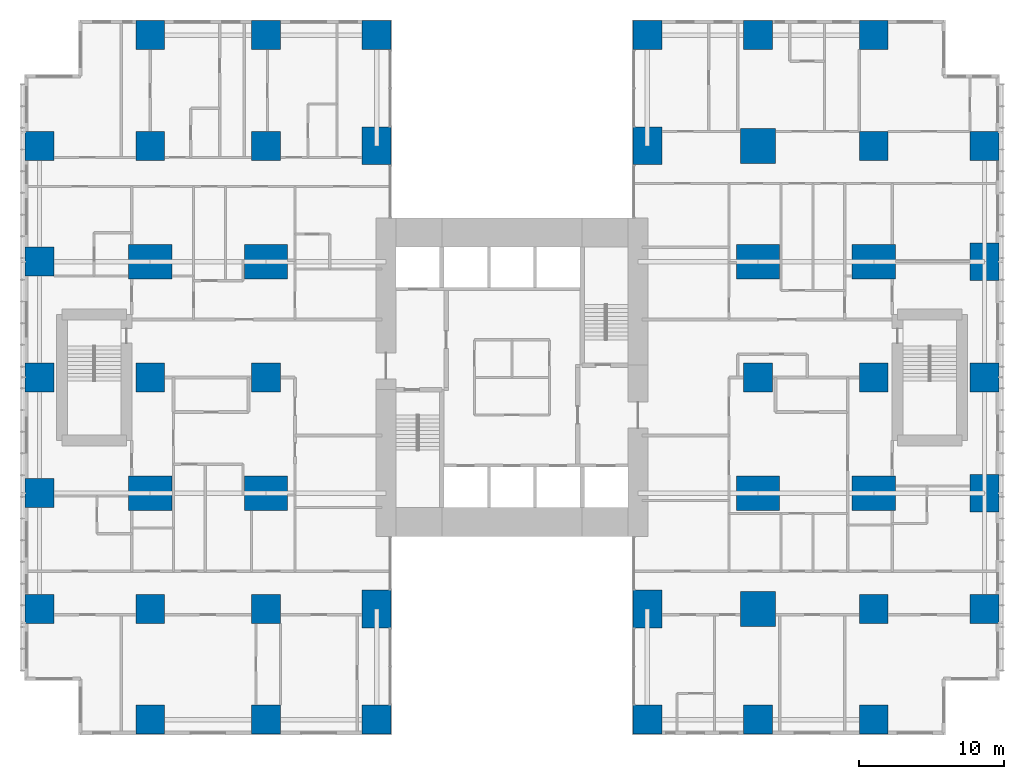
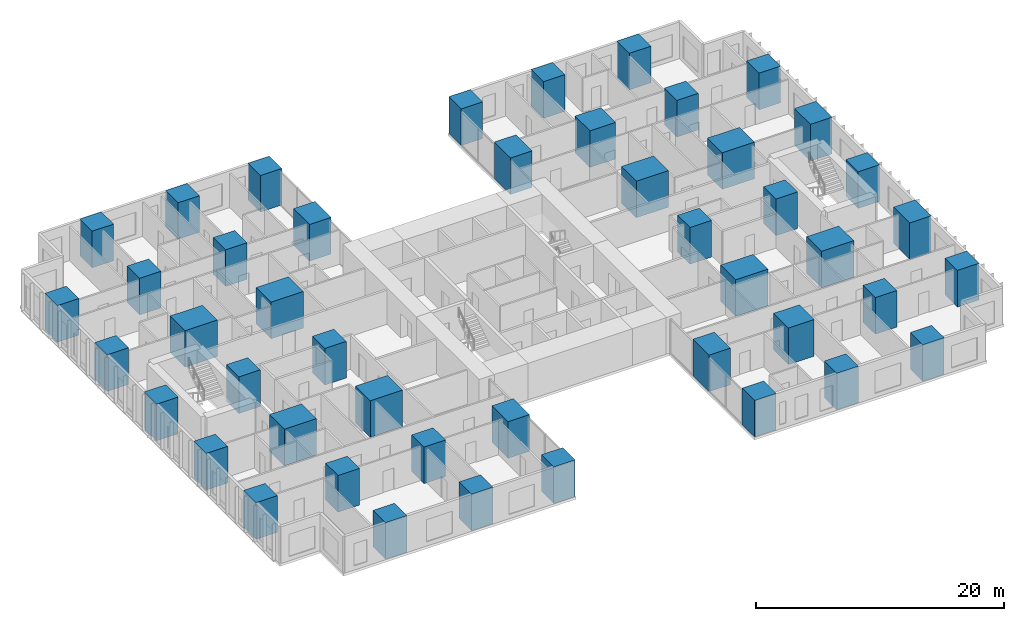
# One storey, part 1 of 20: 46 columns.
"""IFC4 building model written with IfcOpenShell, lengths in metres."""

import ifcopenshell
import ifcopenshell.guid

model = None  # the IFC model being written
_history = None  # IfcOwnerHistory: only IFC2X3 demands one
_inside = {}  # id of a spatial element -> (the spatial element, [elements in it])
_under = {}  # id of a project, library or spatial element -> (it, [spatial elements below it])
_declared = {}  # id of a project -> (the project, [libraries it declares])
_typed = {}  # id of a type object -> (the type object, [elements of that type])
_made_of = {}  # id of a material, layer set ... -> (it, [elements and type objects made of it])


def new_model(schema):
    """Start an empty IFC model of exactly this schema.

    Asked for "IFC4X3", IfcOpenShell would pick the latest addendum, in which some entities
    have other attributes; the version numbers below select the first issue.
    IFC2X3 requires an IfcOwnerHistory on every rooted entity: one is made here for all.
    """
    global model, _history
    if schema == "IFC4X3":
        model = ifcopenshell.file(schema_version=(4, 3, 0, 0))
    else:
        model = ifcopenshell.file(schema=schema)
    _inside.clear()
    _under.clear()
    _declared.clear()
    _typed.clear()
    _made_of.clear()
    _history = None
    if model.schema == "IFC2X3":
        org = make("IfcOrganization", Name="unknown")
        user = make(
            "IfcPersonAndOrganization",
            ThePerson=make("IfcPerson", FamilyName="unknown"),
            TheOrganization=org,
        )
        app = make(
            "IfcApplication",
            ApplicationDeveloper=org,
            Version="unknown",
            ApplicationFullName="unknown",
            ApplicationIdentifier="unknown",
        )
        _history = make(
            "IfcOwnerHistory",
            OwningUser=user,
            OwningApplication=app,
            ChangeAction="ADDED",
            CreationDate=0,
        )
    return model


def make(cls, **values):
    """One entity of the class cls with the attributes given. An attribute that is None is left unset."""
    return model.create_entity(
        cls, **{name: value for name, value in values.items() if value is not None}
    )


def rooted(cls, **values):
    """An entity with a GlobalId (a new one), such as an element, a storey or a relation."""
    return make(cls, GlobalId=ifcopenshell.guid.new(), OwnerHistory=_history, **values)


def si_unit(unit_type, name, prefix=None):
    """IfcSIUnit, for example si_unit("LENGTHUNIT", "METRE", prefix="MILLI")."""
    return make("IfcSIUnit", UnitType=unit_type, Prefix=prefix, Name=name)


def assignment(units):
    """IfcUnitAssignment: the units of a project."""
    return None if units is None else make("IfcUnitAssignment", Units=units)


def point(xyz):
    """IfcCartesianPoint."""
    return None if xyz is None else make("IfcCartesianPoint", Coordinates=xyz)


def direction(xyz):
    """IfcDirection."""
    return None if xyz is None else make("IfcDirection", DirectionRatios=xyz)


def frame(location, z_axis=None, x_axis=None):
    """IfcAxis2Placement3D, a coordinate frame: its origin and axes. An axis left out is left unset."""
    return make(
        "IfcAxis2Placement3D",
        Location=point(location),
        Axis=direction(z_axis),
        RefDirection=direction(x_axis),
    )


def frame_2d(location, x_axis=None):
    """IfcAxis2Placement2D, a coordinate frame in the plane: its origin and x axis."""
    return make(
        "IfcAxis2Placement2D", Location=point(location), RefDirection=direction(x_axis)
    )


def origin():
    """The frame at (0, 0, 0) with its axes left unset."""
    return frame((0.0, 0.0, 0.0))


def origin_2d():
    """The frame at (0, 0) in the plane with its x axis left unset."""
    return frame_2d((0.0, 0.0))


def place(relative_to, where):
    """IfcLocalPlacement: puts the frame where relative to a parent placement (None: the world)."""
    return make(
        "IfcLocalPlacement", PlacementRelTo=relative_to, RelativePlacement=where
    )


def context(
    kind, dimensions, precision=None, world=None, true_north=None, identifier=None
):
    """IfcGeometricRepresentationContext, for example the 3D "Model" context."""
    return make(
        "IfcGeometricRepresentationContext",
        ContextIdentifier=identifier,
        ContextType=kind,
        CoordinateSpaceDimension=dimensions,
        Precision=precision,
        WorldCoordinateSystem=world,
        TrueNorth=true_north,
    )


def subcontext(parent, identifier, kind, view, scale=None):
    """IfcGeometricRepresentationSubContext, for example "Body" below "Model"."""
    return make(
        "IfcGeometricRepresentationSubContext",
        ContextIdentifier=identifier,
        ContextType=kind,
        ParentContext=parent,
        TargetScale=scale,
        TargetView=view,
    )


def project(units=None, contexts=None):
    """IfcProject with its units and contexts."""
    return rooted(
        "IfcProject",
        Name="project",
        RepresentationContexts=contexts,
        UnitsInContext=assignment(units),
    )


def spatial(cls, under=None, at=None, **own):
    """A site, building, storey or space (cls), placed at a placement, below another one or the project."""
    s = rooted(cls, ObjectPlacement=at, **own)
    if under is not None:
        _under.setdefault(under.id(), (under, []))[1].append(s)
    return s


def profile(cls, at=None, kind="AREA", **sizes):
    """A parametric profile (cls). Its sizes go by their IFC names, for example OverallWidth=200.0."""
    return make(cls, ProfileType=kind, Position=at, **sizes)


def rectangle(**sizes):
    """IfcRectangleProfileDef."""
    return profile("IfcRectangleProfileDef", **sizes)


def extrude(swept, where, along, depth):
    """IfcExtrudedAreaSolid: the profile swept, set in the frame where, extruded along a direction by depth."""
    return make(
        "IfcExtrudedAreaSolid",
        SweptArea=swept,
        Position=where,
        ExtrudedDirection=direction(along),
        Depth=depth,
    )


def shape(context_of_items, identifier, shape_type, items):
    """IfcShapeRepresentation: the items that make up one representation, for example the "Body"."""
    return make(
        "IfcShapeRepresentation",
        ContextOfItems=context_of_items,
        RepresentationIdentifier=identifier,
        RepresentationType=shape_type,
        Items=items,
    )


def material(Name=None, Category=None):
    """IfcMaterial."""
    return make("IfcMaterial", Name=Name, Category=Category)


def material_profile(
    of_material, cross_section, Name=None, Category=None, Priority=None
):
    """IfcMaterialProfile: a cross section and its material."""
    return make(
        "IfcMaterialProfile",
        Name=Name,
        Material=of_material,
        Profile=cross_section,
        Priority=Priority,
        Category=Category,
    )


def profile_set(profiles, Name=None, composite=None):
    """IfcMaterialProfileSet."""
    return make(
        "IfcMaterialProfileSet",
        Name=Name,
        MaterialProfiles=profiles,
        CompositeProfile=composite,
    )


def made_of(thing, what):
    """Note that an element or type object is made of a material, layer set ...; save() writes the relation."""
    if what is not None:
        _made_of.setdefault(what.id(), (what, []))[1].append(thing)
    return thing


def type_object(cls, material=None, **own):
    """A type object (cls), such as IfcWallType, which elements share."""
    return made_of(rooted(cls, **own), material)


def element(
    cls,
    number,
    at=None,
    inside=None,
    cuts=None,
    type_object=None,
    material=None,
    context=None,
    identifier="Body",
    shape_type=None,
    held_by="IfcProductDefinitionShape",
    body=None,
    shapes=None,
    **own,
):
    """One element of the class cls, such as IfcWall. Its Tag is "e" and its number.

    at: its placement. inside: the storey or other place that contains it. cuts: it is an
    opening in that element (IfcRelVoidsElement). A single representation is given by context,
    identifier, shape_type and body (its items); several are given by shapes. held_by: the class
    of the entity that holds the representations. save() writes the other relations.
    """
    e = rooted(cls, Tag="e%d" % number, ObjectPlacement=at, **own)
    if body is not None:
        shapes = [shape(context, identifier, shape_type, body)]
    if shapes is not None:
        e.Representation = make(held_by, Representations=shapes)
    if inside is not None:
        _inside.setdefault(inside.id(), (inside, []))[1].append(e)
    if cuts is not None:
        rooted(
            "IfcRelVoidsElement", RelatingBuildingElement=cuts, RelatedOpeningElement=e
        )
    if type_object is not None:
        _typed.setdefault(type_object.id(), (type_object, []))[1].append(e)
    return made_of(e, material)


def aggregate(whole, parts):
    """IfcRelAggregates: a whole, such as a stair, and the parts it consists of."""
    return rooted("IfcRelAggregates", RelatingObject=whole, RelatedObjects=parts)


def save(model, path):
    """Write the relations noted so far, then the file.

    IfcRelAggregates (storeys below a building ...), IfcRelContainedInSpatialStructure (elements
    in a storey), IfcRelDefinesByType, IfcRelAssociatesMaterial and IfcRelDeclares: one each for
    every whole, place, type object, material and project.
    """
    for whole, parts in _under.values():
        aggregate(whole, parts)
    for where, things in _inside.values():
        rooted(
            "IfcRelContainedInSpatialStructure",
            RelatedElements=things,
            RelatingStructure=where,
        )
    for kind, things in _typed.values():
        rooted("IfcRelDefinesByType", RelatedObjects=things, RelatingType=kind)
    for what, things in _made_of.values():
        rooted("IfcRelAssociatesMaterial", RelatedObjects=things, RelatingMaterial=what)
    for by, libraries in _declared.values():
        rooted("IfcRelDeclares", RelatingContext=by, RelatedDefinitions=libraries)
    model.write(path)


model = new_model("IFC4")

# Units and contexts
model_context = context("Model", 3, precision=1e-05, world=origin(), true_north=direction((0.0, 1.0)))
body_context = subcontext(model_context, "Body", "Model", "MODEL_VIEW")
ifc_project = project(units=[si_unit("LENGTHUNIT", "METRE"), si_unit("AREAUNIT", "SQUARE_METRE"), si_unit("VOLUMEUNIT", "CUBIC_METRE"), si_unit("PLANEANGLEUNIT", "RADIAN"), si_unit("MASSUNIT", "GRAM", prefix="KILO")], contexts=[model_context])

# Site, building, storey
site_placement = place(None, origin())
site = spatial("IfcSite", under=ifc_project, at=site_placement, CompositionType="ELEMENT")
building_placement = place(site_placement, origin())
building = spatial("IfcBuilding", under=site, at=building_placement, Name="Cleftline Residences", CompositionType="ELEMENT")
storey_placement = place(building_placement, frame((0.0, 0.0, 107.0)))
storey = spatial("IfcBuildingStorey", under=building, at=storey_placement, Name="L27", CompositionType="ELEMENT", Elevation=107.0)

# Columns
ifc_material_1 = material(Name="Concrete B70", Category="concrete")
ifc_material_profile_1 = material_profile(ifc_material_1, rectangle(XDim=2.0, YDim=2.0, at=origin_2d()))
ifc_profile_set_1 = profile_set([ifc_material_profile_1], Name="Concrete B70")
column_type_1 = type_object("IfcColumnType", Name="COLUMN RC2000X2000", PredefinedType="COLUMN", material=ifc_profile_set_1)
for number, where, z_axis, x_axis, name in (
    (1, (0.35009765625, 8.0, 0.0), (0.0, 0.0, 1.0), (1.0, 0.0, 0.0), "Column D/3"),
    (2, (0.35009765625, 16.0, 0.0), (0.0, 0.0, 1.0), (1.0, 0.0, 0.0), "Column E/3"),
    (3, (0.35009765625, 24.0, 0.0), (0.0, 0.0, 1.0), (1.0, 0.0, 0.0), "Column F/3"),
    (4, (0.35009765625, 32.0, 0.0), (0.0, 0.0, 1.0), (1.0, 0.0, 0.0), "Column G/3"),
    (5, (0.35009765625, 40.0, 0.0), (0.0, 0.0, 1.0), (1.0, 0.0, 0.0), "Column H/3"),
    (6, (8.0, 0.35009765625, 0.0), (0.0, 0.0, 1.0), (1.0, 0.0, 0.0), "Column C/4"),
    (7, (8.0, 8.0, 0.0), (0.0, 0.0, 1.0), (1.0, 0.0, 0.0), "Column D/4"),
    (8, (8.0, 24.0, 0.0), (0.0, 0.0, 1.0), (1.0, 0.0, 0.0), "Column F/4"),
    (9, (8.0, 40.0, 0.0), (0.0, 0.0, 1.0), (1.0, 0.0, 0.0), "Column H/4"),
    (10, (8.0, 47.64990234375, 0.0), (0.0, 0.0, 1.0), (1.0, 0.0, 0.0), "Column J/4"),
    (11, (16.0, 0.35009765625, 0.0), (0.0, 0.0, 1.0), (1.0, 0.0, 0.0), "Column C/5"),
    (12, (16.0, 8.0, 0.0), (0.0, 0.0, 1.0), (1.0, 0.0, 0.0), "Column D/5"),
    (13, (16.0, 24.0, 0.0), (0.0, 0.0, 1.0), (1.0, 0.0, 0.0), "Column F/5"),
    (14, (16.0, 40.0, 0.0), (0.0, 0.0, 1.0), (1.0, 0.0, 0.0), "Column H/5"),
    (15, (16.0, 47.64990234375, 0.0), (0.0, 0.0, 1.0), (1.0, 0.0, 0.0), "Column J/5"),
    (16, (23.64990234375, 0.35009765625, 0.0), (0.0, 0.0, 1.0), (1.0, 0.0, 0.0), "Column C/6"),
    (17, (23.64990234375, 47.64990234375, 0.0), (0.0, 0.0, 1.0), (1.0, 0.0, 0.0), "Column J/6"),
    (18, (42.35009765625, 0.35009765625, 0.0), (0.0, 0.0, 1.0), (1.0, 0.0, 0.0), "Column C/8"),
    (19, (42.35009765625, 47.64990234375, 0.0), (0.0, 0.0, 1.0), (1.0, 0.0, 0.0), "Column J/8"),
    (20, (50.0, 0.35009765625, 0.0), (0.0, 0.0, 1.0), (1.0, 0.0, 0.0), "Column C/9"),
    (21, (50.0, 24.0, 0.0), (0.0, 0.0, 1.0), (1.0, 0.0, 0.0), "Column F/9"),
    (22, (50.0, 47.64990234375, 0.0), (0.0, 0.0, 1.0), (1.0, 0.0, 0.0), "Column J/9"),
    (23, (58.0, 0.35009765625, 0.0), (0.0, 0.0, 1.0), (1.0, 0.0, 0.0), "Column C/10"),
    (24, (58.0, 8.0, 0.0), (0.0, 0.0, 1.0), (1.0, 0.0, 0.0), "Column D/10"),
    (25, (58.0, 24.0, 0.0), (0.0, 0.0, 1.0), (1.0, 0.0, 0.0), "Column F/10"),
    (26, (58.0, 40.0, 0.0), (0.0, 0.0, 1.0), (1.0, 0.0, 0.0), "Column H/10"),
    (27, (58.0, 47.64990234375, 0.0), (0.0, 0.0, 1.0), (1.0, 0.0, 0.0), "Column J/10"),
    (28, (65.64990234375, 8.0, 0.0), (0.0, 0.0, 1.0), (1.0, 0.0, 0.0), "Column D/11"),
    (29, (65.64990234375, 24.0, 0.0), (0.0, 0.0, 1.0), (1.0, 0.0, 0.0), "Column F/11"),
    (30, (65.64990234375, 40.0, 0.0), (0.0, 0.0, 1.0), (1.0, 0.0, 0.0), "Column H/11"),
):
    element("IfcColumn", number, at=place(storey_placement, frame(where, z_axis=z_axis, x_axis=x_axis)), inside=storey, type_object=column_type_1, Name=name, PredefinedType="COLUMN", context=body_context, shape_type="SweptSolid", body=[
        extrude(rectangle(XDim=2.0, YDim=2.0, at=origin_2d()), origin(), (0.0, 0.0, 1.0), 3.60009765625),
    ])
ifc_material_2 = material(Name="Concrete B70", Category="concrete")
ifc_material_profile_2 = material_profile(ifc_material_2, rectangle(XDim=2.0, YDim=2.60009765625, at=origin_2d()))
ifc_profile_set_2 = profile_set([ifc_material_profile_2], Name="Concrete B70")
column_type_2 = type_object("IfcColumnType", Name="COLUMN RC2000X2600", PredefinedType="COLUMN", material=ifc_profile_set_2)
for number, where, z_axis, x_axis, name in (
    (31, (23.64990234375, 8.0, 0.0), (0.0, 0.0, 1.0), (1.0, 0.0, 0.0), "Column D/6"),
    (32, (23.64990234375, 40.0, 0.0), (0.0, 0.0, 1.0), (1.0, 0.0, 0.0), "Column H/6"),
    (33, (42.35009765625, 8.0, 0.0), (0.0, 0.0, 1.0), (1.0, 0.0, 0.0), "Column D/8"),
    (34, (42.35009765625, 40.0, 0.0), (0.0, 0.0, 1.0), (1.0, 0.0, 0.0), "Column H/8"),
):
    element("IfcColumn", number, at=place(storey_placement, frame(where, z_axis=z_axis, x_axis=x_axis)), inside=storey, type_object=column_type_2, Name=name, PredefinedType="COLUMN", context=body_context, shape_type="SweptSolid", body=[
        extrude(rectangle(XDim=2.0, YDim=2.60009765625, at=origin_2d()), origin(), (0.0, 0.0, 1.0), 3.60009765625),
    ])
ifc_material_3 = material(Name="Concrete B70", Category="concrete")
ifc_material_profile_3 = material_profile(ifc_material_3, rectangle(XDim=2.39990234375, YDim=2.39990234375, at=origin_2d()))
ifc_profile_set_3 = profile_set([ifc_material_profile_3], Name="Concrete B70")
column_type_3 = type_object("IfcColumnType", Name="COLUMN RC2400X2400", PredefinedType="COLUMN", material=ifc_profile_set_3)
for number, where, z_axis, x_axis, name in (
    (35, (50.0, 8.0, 0.0), (0.0, 0.0, 1.0), (1.0, 0.0, 0.0), "Column D/9"),
    (36, (50.0, 40.0, 0.0), (0.0, 0.0, 1.0), (1.0, 0.0, 0.0), "Column H/9"),
):
    element("IfcColumn", number, at=place(storey_placement, frame(where, z_axis=z_axis, x_axis=x_axis)), inside=storey, type_object=column_type_3, Name=name, PredefinedType="COLUMN", context=body_context, shape_type="SweptSolid", body=[
        extrude(rectangle(XDim=2.39990234375, YDim=2.39990234375, at=origin_2d()), origin(), (0.0, 0.0, 1.0), 3.60009765625),
    ])
ifc_material_4 = material(Name="Concrete B70", Category="concrete")
ifc_material_profile_4 = material_profile(ifc_material_4, rectangle(XDim=2.60009765625, YDim=2.0, at=origin_2d()))
ifc_profile_set_4 = profile_set([ifc_material_profile_4], Name="Concrete B70")
column_type_4 = type_object("IfcColumnType", Name="COLUMN RC2600X2000", PredefinedType="COLUMN", material=ifc_profile_set_4)
for number, where, z_axis, x_axis, name in (
    (37, (65.64990234375, 16.0, 0.0), (0.0, 0.0, 1.0), (0.0, 1.0, 0.0), "Column E/11"),
    (38, (65.64990234375, 32.0, 0.0), (0.0, 0.0, 1.0), (0.0, 1.0, 0.0), "Column G/11"),
):
    element("IfcColumn", number, at=place(storey_placement, frame(where, z_axis=z_axis, x_axis=x_axis)), inside=storey, type_object=column_type_4, Name=name, PredefinedType="COLUMN", context=body_context, shape_type="SweptSolid", body=[
        extrude(rectangle(XDim=2.60009765625, YDim=2.0, at=origin_2d()), origin(), (0.0, 0.0, 1.0), 3.60009765625),
    ])
ifc_material_5 = material(Name="Concrete B70", Category="concrete")
ifc_material_profile_5 = material_profile(ifc_material_5, rectangle(XDim=3.0, YDim=2.39990234375, at=origin_2d()))
ifc_profile_set_5 = profile_set([ifc_material_profile_5], Name="Concrete B70")
column_type_5 = type_object("IfcColumnType", Name="COLUMN RC3000X2400", PredefinedType="COLUMN", material=ifc_profile_set_5)
for number, where, z_axis, x_axis, name in (
    (39, (8.0, 16.0, 0.0), (0.0, 0.0, 1.0), (1.0, 0.0, 0.0), "Column E/4"),
    (40, (8.0, 32.0, 0.0), (0.0, 0.0, 1.0), (1.0, 0.0, 0.0), "Column G/4"),
    (41, (16.0, 16.0, 0.0), (0.0, 0.0, 1.0), (1.0, 0.0, 0.0), "Column E/5"),
    (42, (16.0, 32.0, 0.0), (0.0, 0.0, 1.0), (1.0, 0.0, 0.0), "Column G/5"),
    (43, (50.0, 16.0, 0.0), (0.0, 0.0, 1.0), (1.0, 0.0, 0.0), "Column E/9"),
    (44, (50.0, 32.0, 0.0), (0.0, 0.0, 1.0), (1.0, 0.0, 0.0), "Column G/9"),
    (45, (58.0, 16.0, 0.0), (0.0, 0.0, 1.0), (1.0, 0.0, 0.0), "Column E/10"),
    (46, (58.0, 32.0, 0.0), (0.0, 0.0, 1.0), (1.0, 0.0, 0.0), "Column G/10"),
):
    element("IfcColumn", number, at=place(storey_placement, frame(where, z_axis=z_axis, x_axis=x_axis)), inside=storey, type_object=column_type_5, Name=name, PredefinedType="COLUMN", context=body_context, shape_type="SweptSolid", body=[
        extrude(rectangle(XDim=3.0, YDim=2.39990234375, at=origin_2d()), origin(), (0.0, 0.0, 1.0), 3.60009765625),
    ])

save(model, "model.ifc")
